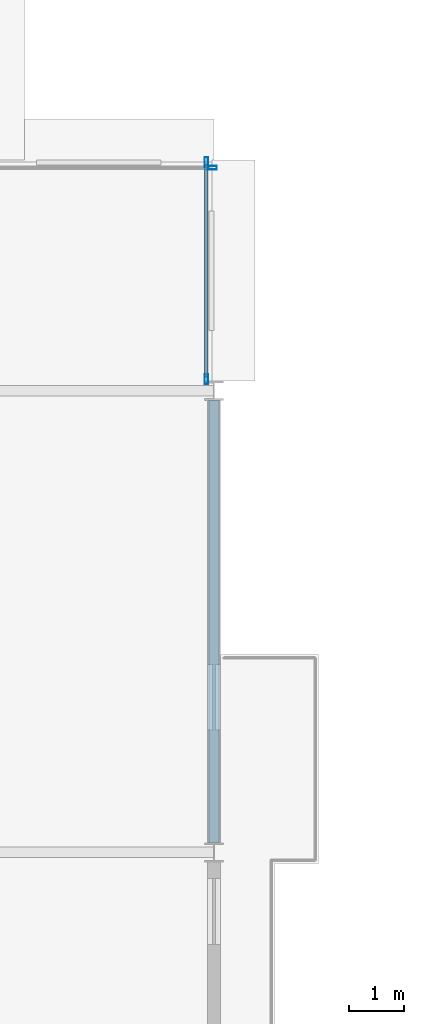
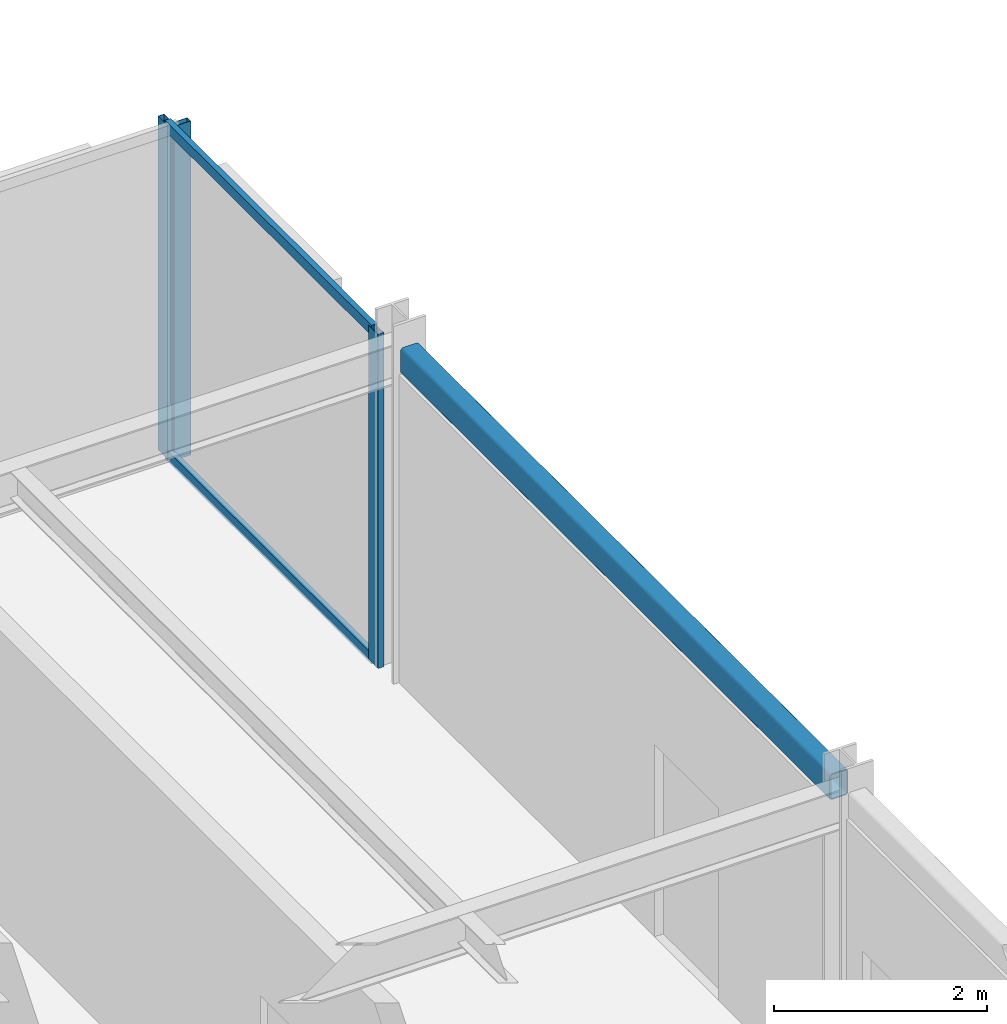
# One storey, part 23 of 30: 5 members, 1 beam, 2 elements without a shape of their own.
"""IFC4 building model written with IfcOpenShell, lengths in metres."""

from ifc_helpers import new_model, si_unit, direction, frame, origin, origin_2d, place, context, subcontext, project, spatial, hollow_rectangle, extrude, material, layer, layer_set, material_profile, profile_set, type_object, element, aggregate, save


model = new_model("IFC4")

# Units and contexts
model_context = context("Model", 3, precision=1e-05, world=origin(), true_north=direction((0.0, 1.0)))
body_context = subcontext(model_context, "Body", "Model", "MODEL_VIEW")
ifc_project = project(units=[si_unit("LENGTHUNIT", "METRE"), si_unit("AREAUNIT", "SQUARE_METRE"), si_unit("VOLUMEUNIT", "CUBIC_METRE"), si_unit("PLANEANGLEUNIT", "RADIAN"), si_unit("MASSUNIT", "GRAM", prefix="KILO")], contexts=[model_context])

# Site, building, storey
site_placement = place(None, origin())
site = spatial("IfcSite", under=ifc_project, at=site_placement, CompositionType="ELEMENT")
building_placement = place(site_placement, origin())
building = spatial("IfcBuilding", under=site, at=building_placement, Name="Nerrivon Quay Data Exchange", CompositionType="ELEMENT")
storey_placement = place(building_placement, frame((0.0, 0.0, 167.300048828125)))
storey = spatial("IfcBuildingStorey", under=building, at=storey_placement, Name="L39", CompositionType="ELEMENT", Elevation=167.300048828125)

# Beam
ifc_material_1 = material(Name="Steel Grade C350L0 (350 MPa)", Category="steel")
ifc_material_profile_1 = material_profile(ifc_material_1, hollow_rectangle(XDim=0.199951171875, YDim=0.300048828125, WallThickness=0.012451171875, InnerFilletRadius=0.018798828125, OuterFilletRadius=0.03125, at=origin_2d()), Name="300x200x12.5RHS")
ifc_profile_set_1 = profile_set([ifc_material_profile_1], Name="Steel Grade C350L0 (350 MPa)")
beam_type = type_object("IfcBeamType", Name="BM-SP3-300x200RHS", PredefinedType="SPANDREL", material=ifc_profile_set_1)
beam_placement = place(storey_placement, frame((25.199951171875, 33.77490234375, 3.675048828125), z_axis=(0.0, 1.0, 0.0), x_axis=(-1.0, 0.0, 0.0)))
element("IfcBeam", 1, at=beam_placement, inside=storey, type_object=beam_type, Name="L39 NS Girder X=25.2 (33.6..42.0)", PredefinedType="SPANDREL", context=body_context, shape_type="SweptSolid", body=[
    extrude(hollow_rectangle(XDim=0.199951171875, YDim=0.300048828125, WallThickness=0.012451171875, InnerFilletRadius=0.018798828125, OuterFilletRadius=0.03125, at=origin_2d()), origin(), (0.0, 0.0, 1.0), 8.050048828125),
])

# Curtain wall, member
ifc_material_2 = material(Name="Anodised aluminium 6063-T6", Category="aluminium")
ifc_layer = layer(ifc_material_2, 0.195068359375)
ifc_layer_set = layer_set([ifc_layer], Name="Anodised aluminium 6063-T6")
curtain_wall_type = type_object("IfcCurtainWallType", Name="CW-SYS-06", PredefinedType="NOTDEFINED", material=ifc_layer_set)
curtain_wall_1_placement = place(storey_placement, origin())
curtain_wall_1 = element("IfcCurtainWall", 2, at=curtain_wall_1_placement, inside=storey, type_object=curtain_wall_type, Name="L39 Unitised Curtain Wall 22", PredefinedType="NOTDEFINED")
ifc_material_profile_2 = material_profile(ifc_material_2, hollow_rectangle(XDim=0.06494140625, YDim=0.179931640625, WallThickness=0.00341796875, at=origin_2d()), Name="ALU-MULL-180x65")
ifc_profile_set_2 = profile_set([ifc_material_profile_2], Name="Anodised aluminium 6063-T6")
member_type_1 = type_object("IfcMemberType", Name="CWM-180x65", PredefinedType="MULLION", material=ifc_profile_set_2)
member_1_placement = place(storey_placement, frame((25.16259765625, 46.06005859375, 0.0), z_axis=(0.0, 0.0, 1.0), x_axis=(0.0, 1.0, 0.0)))
member_1 = element("IfcMember", 3, at=member_1_placement, type_object=member_type_1, Name="CW06 mullion 2", PredefinedType="MULLION", context=body_context, shape_type="SweptSolid", body=[
    extrude(hollow_rectangle(XDim=0.06494140625, YDim=0.179931640625, WallThickness=0.00341796875, at=origin_2d()), origin(), (0.0, 0.0, 1.0), 3.824951171875),
])
aggregate(curtain_wall_1, [member_1])

# Curtain wall, members
curtain_wall_2_placement = place(storey_placement, origin())
curtain_wall_2 = element("IfcCurtainWall", 4, at=curtain_wall_2_placement, inside=storey, type_object=curtain_wall_type, Name="L39 Unitised Curtain Wall 23", PredefinedType="NOTDEFINED")
member_2_placement = place(storey_placement, frame((25.06005859375, 46.16259765625, 0.0), z_axis=(0.0, 0.0, 1.0), x_axis=(1.0, 0.0, 0.0)))
member_2 = element("IfcMember", 5, at=member_2_placement, type_object=member_type_1, Name="CW06 mullion 1", PredefinedType="MULLION", context=body_context, shape_type="SweptSolid", body=[
    extrude(hollow_rectangle(XDim=0.06494140625, YDim=0.179931640625, WallThickness=0.00341796875, at=origin_2d()), origin(), (0.0, 0.0, 1.0), 3.824951171875),
])
member_3_placement = place(storey_placement, frame((25.06005859375, 42.21240234375, 0.0), z_axis=(0.0, 0.0, 1.0), x_axis=(1.0, 0.0, 0.0)))
member_3 = element("IfcMember", 6, at=member_3_placement, type_object=member_type_1, Name="CW06 mullion 2", PredefinedType="MULLION", context=body_context, shape_type="SweptSolid", body=[
    extrude(hollow_rectangle(XDim=0.06494140625, YDim=0.179931640625, WallThickness=0.00341796875, at=origin_2d()), origin(), (0.0, 0.0, 1.0), 3.824951171875),
])
ifc_material_profile_3 = material_profile(ifc_material_2, hollow_rectangle(XDim=0.06005859375, YDim=0.1201171875, WallThickness=0.003173828125, at=origin_2d()), Name="ALU-TRAN-120x60")
ifc_profile_set_3 = profile_set([ifc_material_profile_3], Name="Anodised aluminium 6063-T6")
member_type_2 = type_object("IfcMemberType", Name="CWT-120x60", PredefinedType="USERDEFINED", material=ifc_profile_set_3)
member_4_placement = place(storey_placement, frame((25.06005859375, 46.125, 0.032470703125), z_axis=(0.0, -1.0, 0.0), x_axis=(1.0, 0.0, 0.0)))
member_4 = element("IfcMember", 7, at=member_4_placement, type_object=member_type_2, Name="CW06 transom 1.1", ObjectType="TRANSOM", PredefinedType="USERDEFINED", context=body_context, shape_type="SweptSolid", body=[
    extrude(hollow_rectangle(XDim=0.06005859375, YDim=0.1201171875, WallThickness=0.003173828125, at=origin_2d()), origin(), (0.0, 0.0, 1.0), 3.875),
])
member_5_placement = place(storey_placement, frame((25.06005859375, 46.125, 3.79248046875), z_axis=(0.0, -1.0, 0.0), x_axis=(1.0, 0.0, 0.0)))
member_5 = element("IfcMember", 8, at=member_5_placement, type_object=member_type_2, Name="CW06 transom 1.2", ObjectType="TRANSOM", PredefinedType="USERDEFINED", context=body_context, shape_type="SweptSolid", body=[
    extrude(hollow_rectangle(XDim=0.06005859375, YDim=0.1201171875, WallThickness=0.003173828125, at=origin_2d()), origin(), (0.0, 0.0, 1.0), 3.875),
])
aggregate(curtain_wall_2, [member_2, member_3, member_4, member_5])

save(model, "model.ifc")
